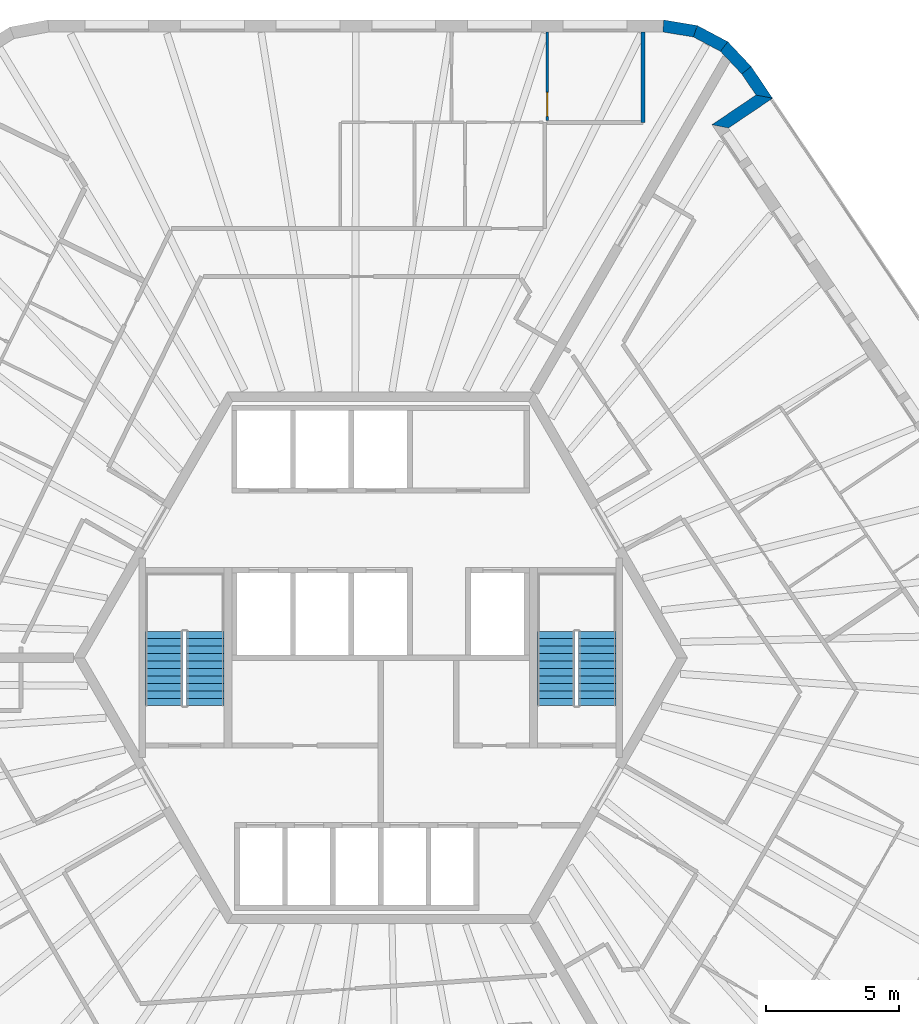
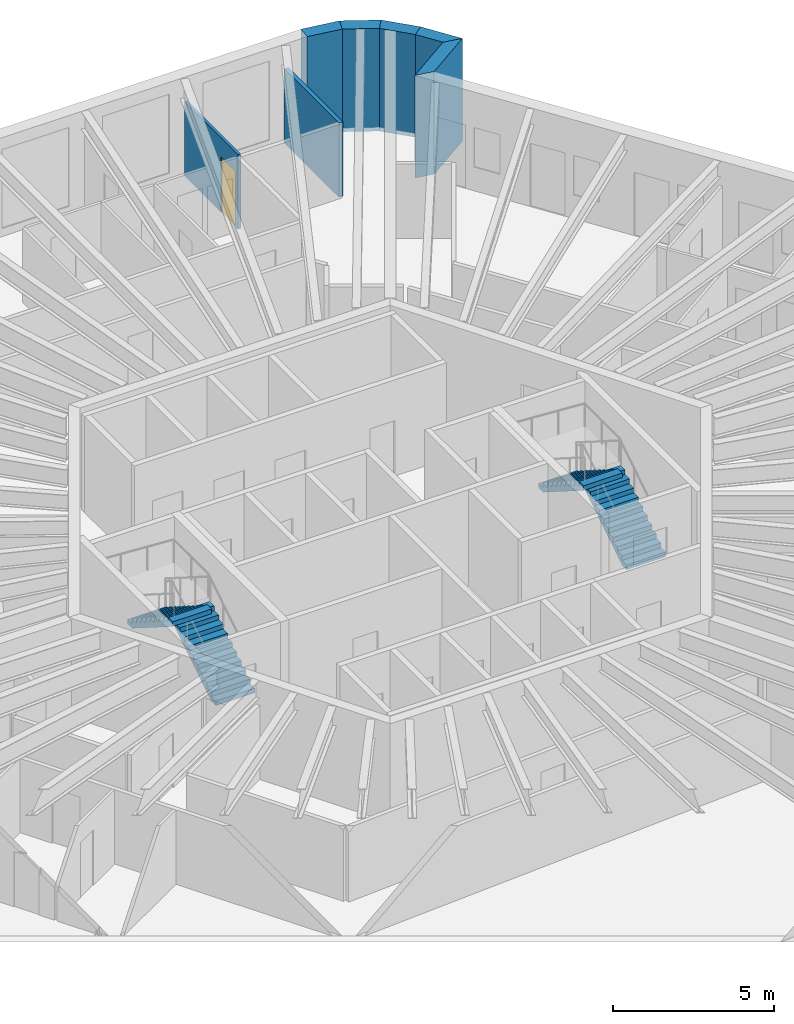
# One storey, part 10 of 11: 7 walls, 4 stair flights, 1 door, 1 opening, 2 elements without a shape of their own.
"""IFC4 building model written with IfcOpenShell, lengths in metres."""

from ifc_helpers import new_model, si_unit, direction, frame, frame_2d, origin, place, context, subcontext, project, spatial, polyline, rectangle, outline, extrude, material, layer, layer_set, type_object, element, fill, aggregate, save


model = new_model("IFC4")

# Units and contexts
model_context = context("Model", 3, precision=1e-05, world=origin(), true_north=direction((0.0, 1.0)))
body_context = subcontext(model_context, "Body", "Model", "MODEL_VIEW")
ifc_project = project(units=[si_unit("LENGTHUNIT", "METRE"), si_unit("AREAUNIT", "SQUARE_METRE"), si_unit("VOLUMEUNIT", "CUBIC_METRE"), si_unit("PLANEANGLEUNIT", "RADIAN"), si_unit("MASSUNIT", "GRAM", prefix="KILO")], contexts=[model_context])

# Site, building, storey
site_placement = place(None, origin())
site = spatial("IfcSite", under=ifc_project, at=site_placement, CompositionType="ELEMENT")
building_placement = place(site_placement, origin())
building = spatial("IfcBuilding", under=site, at=building_placement, Name="Tarnside Tower", CompositionType="ELEMENT")
storey_placement = place(building_placement, frame((0.0, 0.0, 357.300048828125)))
storey = spatial("IfcBuildingStorey", under=building, at=storey_placement, Name="L86", CompositionType="ELEMENT", Elevation=357.300048828125)

# Walls
ifc_material_1 = material(Name="Gypsum board partition on steel studs", Category="steel")
ifc_layer_1 = layer(ifc_material_1, 0.14990234375)
ifc_layer_set_1 = layer_set([ifc_layer_1], Name="Corridor wall 150 EI 60")
wall_type_1 = type_object("IfcWallType", Name="Corridor wall 150 EI 60", PredefinedType="PARTITIONING", material=ifc_layer_set_1)
wall_1_placement = place(storey_placement, frame((9.868408203125, 23.550048828125, 0.0), z_axis=(0.0, 0.0, 1.0), x_axis=(0.0, -1.0, 0.0)))
element("IfcWall", 1, at=wall_1_placement, inside=storey, type_object=wall_type_1, Name="Corridor wall 27007", PredefinedType="PARTITIONING", context=body_context, shape_type="SweptSolid", body=[
    extrude(rectangle(XDim=3.398681640625, YDim=0.14990234375, at=frame_2d((1.69921875, 0.0))), origin(), (0.0, 0.0, 1.0), 2.820068359375),
])
ifc_material_2 = material(Name="Dark zinc cladding")
ifc_layer_2 = layer(ifc_material_2, 0.10205078125)
ifc_material_3 = material(Name="Concrete C60/75 precast", Category="concrete")
ifc_layer_3 = layer(ifc_material_3, 0.248046875)
ifc_material_4 = material(Name="Mineral wool insulation")
ifc_layer_4 = layer(ifc_material_4, 0.10009765625)
ifc_layer_set_2 = layer_set([ifc_layer_2, ifc_layer_3, ifc_layer_4], Name="Loggia wall 450 zinc faced")
wall_type_2 = type_object("IfcWallType", Name="Loggia wall 450 zinc faced", PredefinedType="SOLIDWALL", material=ifc_layer_set_2)
wall_2_placement = place(storey_placement, frame((12.77685546875, 19.997802734375, -0.150146484375), z_axis=(0.0, 0.0, 1.0), x_axis=(0.829014217969, 0.559227526508, 0.0)))
element("IfcWall", 2, at=wall_2_placement, inside=storey, type_object=wall_type_2, Name="Tube wall L86 F6 return 31", PredefinedType="SOLIDWALL", context=body_context, shape_type="SweptSolid", body=[
    extrude(outline(polyline([(0.224853515625, -0.22509765625), (2.22509765625, -0.22509765625), (1.77490234375, 0.22509765625), (-0.224853515625, 0.22509765625), (0.224853515625, -0.22509765625)])), origin(), (0.0, 0.0, 1.0), 3.900146484375),
])
wall_3_placement = place(storey_placement, frame((14.434814453125, 21.1162109375, -0.150146484375), z_axis=(0.0, 0.0, 1.0), x_axis=(-0.559200218553, 0.829032638423, 0.0)))
element("IfcWall", 3, at=wall_3_placement, inside=storey, type_object=wall_type_2, Name="Tube wall L86 F6 stub 32", PredefinedType="SOLIDWALL", context=body_context, shape_type="SweptSolid", body=[
    extrude(outline(polyline([(-0.224853515625, -0.22509765625), (1.218017578125, -0.22509765625), (1.181396484375, 0.22509765625), (0.224853515625, 0.22509765625), (-0.224853515625, -0.22509765625)])), origin(), (0.0, 0.0, 1.0), 3.900146484375),
])

# Wall, opening, door
ifc_layer_5 = layer(ifc_material_1, 0.10009765625)
ifc_layer_set_3 = layer_set([ifc_layer_5], Name="Partition 100")
wall_type_3 = type_object("IfcWallType", Name="Partition 100", PredefinedType="PARTITIONING", material=ifc_layer_set_3)
wall_4_placement = place(storey_placement, frame((6.268310546875, 23.550048828125, 0.0), z_axis=(0.0, 0.0, 1.0), x_axis=(0.0, -1.0, 0.0)))
wall_4 = element("IfcWall", 4, at=wall_4_placement, inside=storey, type_object=wall_type_3, Name="Partition wall 27082", PredefinedType="PARTITIONING", context=body_context, shape_type="SweptSolid", body=[
    extrude(rectangle(XDim=3.324951171875, YDim=0.10009765625, at=frame_2d((1.66259765625, 0.0))), origin(), (0.0, 0.0, 1.0), 2.820068359375),
])
opening_placement = place(wall_4_placement, frame((2.27490234375, 0.0, 0.0)))
opening = element("IfcOpeningElement", 5, at=opening_placement, cuts=wall_4, Name="Opening D-I1", PredefinedType="OPENING", context=body_context, shape_type="SweptSolid", body=[
    extrude(rectangle(XDim=0.89990234375, YDim=2.10009765625, at=frame_2d((0.449951171875, 1.050048828125))), frame((0.0, 0.06005859375, 0.0), z_axis=(0.0, -1.0, 0.0), x_axis=(1.0, 0.0, 0.0)), (0.0, 0.0, 1.0), 0.1201171875),
])
ifc_material_5 = material(Name="Timber door leaf", Category="wood")
door_type = type_object("IfcDoorType", Name="Internal door 900", OperationType="NOTDEFINED", PredefinedType="DOOR", material=ifc_material_5)
door_placement = place(opening_placement, origin())
door = element("IfcDoor", 6, at=door_placement, inside=storey, type_object=door_type, Name="Internal door 27008", OperationType="SINGLE_SWING_RIGHT", OverallHeight=2.10009765625, OverallWidth=0.89990234375, PredefinedType="DOOR", context=body_context, shape_type="SweptSolid", body=[
    extrude(rectangle(XDim=0.89990234375, YDim=2.10009765625, at=frame_2d((0.449951171875, 1.050048828125))), frame((0.0, 0.02490234375, 0.0), z_axis=(0.0, -1.0, 0.0), x_axis=(1.0, 0.0, 0.0)), (0.0, 0.0, 1.0), 0.050048828125),
])
fill(opening, door)

# Walls
ifc_material_6 = material(Name="Facing brick", Category="masonry")
ifc_layer_6 = layer(ifc_material_6, 0.10205078125)
ifc_layer_7 = layer(ifc_material_3, 0.248046875)
ifc_layer_8 = layer(ifc_material_4, 0.10009765625)
ifc_layer_set_4 = layer_set([ifc_layer_6, ifc_layer_7, ifc_layer_8], Name="Tube wall 450 brick faced")
wall_type_4 = type_object("IfcWallType", Name="Tube wall 450 brick faced", PredefinedType="SOLIDWALL", material=ifc_layer_set_4)
wall_5_placement = place(storey_placement, frame((13.763916015625, 22.11083984375, -0.150146484375), z_axis=(0.0, 0.0, 1.0), x_axis=(-0.686272176549, 0.727344828603, 0.0)))
element("IfcWall", 7, at=wall_5_placement, inside=storey, type_object=wall_type_4, Name="Tube wall L86 F6 chord 33", PredefinedType="SOLIDWALL", context=body_context, shape_type="SweptSolid", body=[
    extrude(outline(polyline([(-0.018310546875, -0.22509765625), (1.261474609375, -0.22509765625), (1.187744140625, 0.22509765625), (0.018310546875, 0.22509765625), (-0.018310546875, -0.22509765625)])), origin(), (0.0, 0.0, 1.0), 3.900146484375),
])
wall_6_placement = place(storey_placement, frame((12.923583984375, 23.00146484375, -0.150146484375), z_axis=(0.0, 0.0, 1.0), x_axis=(-0.882898771447, 0.469563370993, 0.0)))
element("IfcWall", 8, at=wall_6_placement, inside=storey, type_object=wall_type_4, Name="Tube wall L86 F6 chord 34", PredefinedType="SOLIDWALL", context=body_context, shape_type="SweptSolid", body=[
    extrude(outline(polyline([(-0.036865234375, -0.22509765625), (1.26123046875, -0.22509765625), (1.1875, 0.22509765625), (0.036865234375, 0.22509765625), (-0.036865234375, -0.22509765625)])), origin(), (0.0, 0.0, 1.0), 3.900146484375),
])
wall_7_placement = place(storey_placement, frame((11.842529296875, 23.576416015625, -0.150146484375), z_axis=(0.0, 0.0, 1.0), x_axis=(-0.986773862881, 0.162102879475, 0.0)))
element("IfcWall", 9, at=wall_7_placement, inside=storey, type_object=wall_type_4, Name="Tube wall L86 F6 chord 35", PredefinedType="SOLIDWALL", context=body_context, shape_type="SweptSolid", body=[
    extrude(outline(polyline([(-0.036865234375, -0.22509765625), (1.24267578125, -0.22509765625), (1.2060546875, 0.22509765625), (0.036865234375, 0.22509765625), (-0.036865234375, -0.22509765625)])), origin(), (0.0, 0.0, 1.0), 3.900146484375),
])

# Stair, stair flights
ifc_material_7 = material(Name="Concrete C40/50", Category="concrete")
stair_type = type_object("IfcStairType", Name="Exit stair 1400 clear", PredefinedType="HALF_TURN_STAIR", material=ifc_material_7)
stair_1_placement = place(storey_placement, origin())
stair_1 = element("IfcStair", 10, at=stair_1_placement, inside=storey, type_object=stair_type, Name="L86 Exit stair 1", PredefinedType="HALF_TURN_STAIR")
stair_flight_type = type_object("IfcStairFlightType", Name="Exit stair flight 1400", PredefinedType="STRAIGHT", material=ifc_material_7)
stair_flight_1_placement = place(storey_placement, frame((8.14990234375, -1.800048828125, 0.0), z_axis=(0.0, 0.0, 1.0), x_axis=(0.0, 1.0, 0.0)))
stair_flight_1 = element("IfcStairFlight", 11, at=stair_flight_1_placement, type_object=stair_flight_type, Name="ST1 flight 1", NumberOfRisers=11, NumberOfTreads=10, PredefinedType="STRAIGHT", RiserHeight=0.177272727, TreadLength=0.28, context=body_context, shape_type="SweptSolid", body=[
    extrude(outline(polyline([(0.0, 0.0), (0.0, 0.17724609375), (0.280029296875, 0.17724609375), (0.280029296875, 0.3544921875), (0.56005859375, 0.3544921875), (0.56005859375, 0.53173828125), (0.840087890625, 0.53173828125), (0.840087890625, 0.708984375), (1.1201171875, 0.708984375), (1.1201171875, 0.886474609375), (1.39990234375, 0.886474609375), (1.39990234375, 1.063720703125), (1.679931640625, 1.063720703125), (1.679931640625, 1.240966796875), (1.9599609375, 1.240966796875), (1.9599609375, 1.418212890625), (2.239990234375, 1.418212890625), (2.239990234375, 1.595458984375), (2.52001953125, 1.595458984375), (2.52001953125, 1.772705078125), (2.800048828125, 1.772705078125), (2.800048828125, 1.949951171875), (2.800048828125, 1.59521484375), (0.2802734375, 0.0), (0.0, 0.0)])), frame((0.0, 0.699951171875, 0.0), z_axis=(0.0, -1.0, 0.0), x_axis=(1.0, 0.0, 0.0)), (0.0, 0.0, 1.0), 1.39990234375),
])
stair_flight_2_placement = place(storey_placement, frame((6.60009765625, 1.0, 1.949951171875), z_axis=(0.0, 0.0, 1.0), x_axis=(0.0, -1.0, 0.0)))
stair_flight_2 = element("IfcStairFlight", 12, at=stair_flight_2_placement, type_object=stair_flight_type, Name="ST1 flight 2", NumberOfRisers=11, NumberOfTreads=10, PredefinedType="STRAIGHT", RiserHeight=0.177272727, TreadLength=0.28, context=body_context, shape_type="SweptSolid", body=[
    extrude(outline(polyline([(0.0, 0.0), (0.0, 0.17724609375), (0.280029296875, 0.17724609375), (0.280029296875, 0.3544921875), (0.56005859375, 0.3544921875), (0.56005859375, 0.53173828125), (0.840087890625, 0.53173828125), (0.840087890625, 0.708984375), (1.1201171875, 0.708984375), (1.1201171875, 0.886474609375), (1.39990234375, 0.886474609375), (1.39990234375, 1.063720703125), (1.679931640625, 1.063720703125), (1.679931640625, 1.240966796875), (1.9599609375, 1.240966796875), (1.9599609375, 1.418212890625), (2.239990234375, 1.418212890625), (2.239990234375, 1.595458984375), (2.52001953125, 1.595458984375), (2.52001953125, 1.772705078125), (2.800048828125, 1.772705078125), (2.800048828125, 1.949951171875), (2.800048828125, 1.59521484375), (0.2802734375, 0.0), (0.0, 0.0)])), frame((0.0, 0.699951171875, 0.0), z_axis=(0.0, -1.0, 0.0), x_axis=(1.0, 0.0, 0.0)), (0.0, 0.0, 1.0), 1.39990234375),
])
aggregate(stair_1, [stair_flight_1, stair_flight_2])

stair_2_placement = place(storey_placement, origin())
stair_2 = element("IfcStair", 13, at=stair_2_placement, inside=storey, type_object=stair_type, Name="L86 Exit stair 2", PredefinedType="HALF_TURN_STAIR")
stair_flight_3_placement = place(storey_placement, frame((-6.60009765625, -1.800048828125, 0.0), z_axis=(0.0, 0.0, 1.0), x_axis=(0.0, 1.0, 0.0)))
stair_flight_3 = element("IfcStairFlight", 14, at=stair_flight_3_placement, type_object=stair_flight_type, Name="ST2 flight 1", NumberOfRisers=11, NumberOfTreads=10, PredefinedType="STRAIGHT", RiserHeight=0.177272727, TreadLength=0.28, context=body_context, shape_type="SweptSolid", body=[
    extrude(outline(polyline([(0.0, 0.0), (0.0, 0.17724609375), (0.280029296875, 0.17724609375), (0.280029296875, 0.3544921875), (0.56005859375, 0.3544921875), (0.56005859375, 0.53173828125), (0.840087890625, 0.53173828125), (0.840087890625, 0.708984375), (1.1201171875, 0.708984375), (1.1201171875, 0.886474609375), (1.39990234375, 0.886474609375), (1.39990234375, 1.063720703125), (1.679931640625, 1.063720703125), (1.679931640625, 1.240966796875), (1.9599609375, 1.240966796875), (1.9599609375, 1.418212890625), (2.239990234375, 1.418212890625), (2.239990234375, 1.595458984375), (2.52001953125, 1.595458984375), (2.52001953125, 1.772705078125), (2.800048828125, 1.772705078125), (2.800048828125, 1.949951171875), (2.800048828125, 1.59521484375), (0.2802734375, 0.0), (0.0, 0.0)])), frame((0.0, 0.699951171875, 0.0), z_axis=(0.0, -1.0, 0.0), x_axis=(1.0, 0.0, 0.0)), (0.0, 0.0, 1.0), 1.39990234375),
])
stair_flight_4_placement = place(storey_placement, frame((-8.14990234375, 1.0, 1.949951171875), z_axis=(0.0, 0.0, 1.0), x_axis=(0.0, -1.0, 0.0)))
stair_flight_4 = element("IfcStairFlight", 15, at=stair_flight_4_placement, type_object=stair_flight_type, Name="ST2 flight 2", NumberOfRisers=11, NumberOfTreads=10, PredefinedType="STRAIGHT", RiserHeight=0.177272727, TreadLength=0.28, context=body_context, shape_type="SweptSolid", body=[
    extrude(outline(polyline([(0.0, 0.0), (0.0, 0.17724609375), (0.280029296875, 0.17724609375), (0.280029296875, 0.3544921875), (0.56005859375, 0.3544921875), (0.56005859375, 0.53173828125), (0.840087890625, 0.53173828125), (0.840087890625, 0.708984375), (1.1201171875, 0.708984375), (1.1201171875, 0.886474609375), (1.39990234375, 0.886474609375), (1.39990234375, 1.063720703125), (1.679931640625, 1.063720703125), (1.679931640625, 1.240966796875), (1.9599609375, 1.240966796875), (1.9599609375, 1.418212890625), (2.239990234375, 1.418212890625), (2.239990234375, 1.595458984375), (2.52001953125, 1.595458984375), (2.52001953125, 1.772705078125), (2.800048828125, 1.772705078125), (2.800048828125, 1.949951171875), (2.800048828125, 1.59521484375), (0.2802734375, 0.0), (0.0, 0.0)])), frame((0.0, 0.699951171875, 0.0), z_axis=(0.0, -1.0, 0.0), x_axis=(1.0, 0.0, 0.0)), (0.0, 0.0, 1.0), 1.39990234375),
])
aggregate(stair_2, [stair_flight_3, stair_flight_4])

save(model, "model.ifc")
